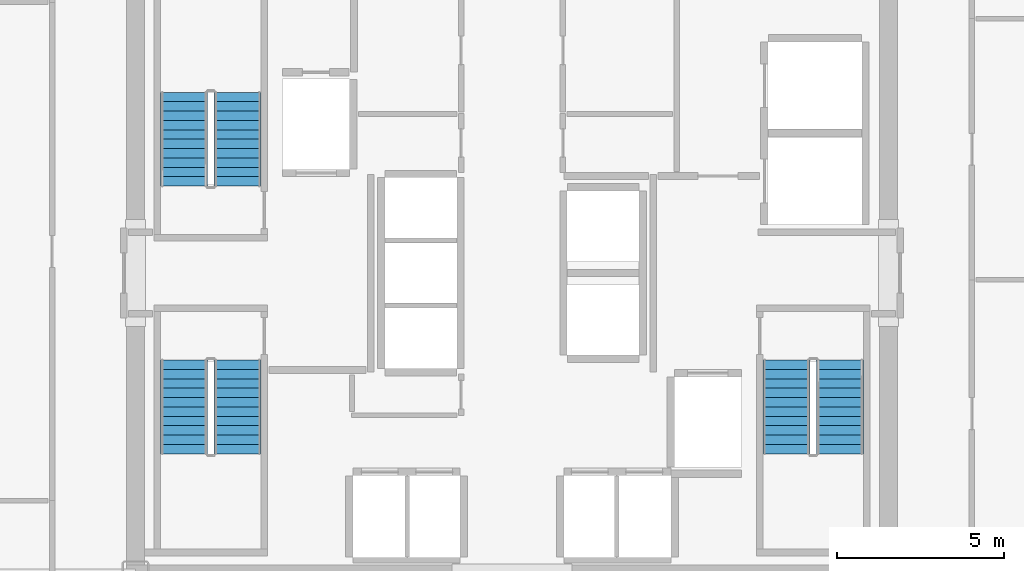
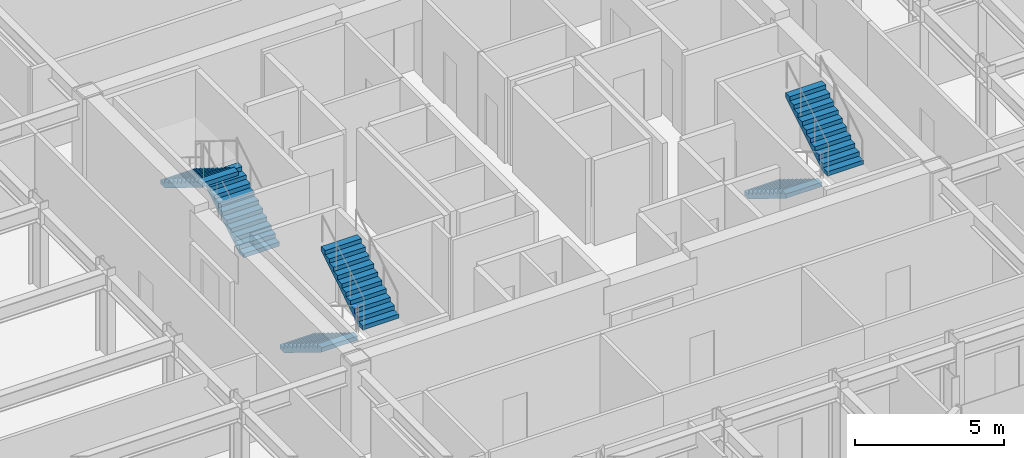
# One storey, part 22 of 23: 6 stair flights, 3 elements without a shape of their own.
"""IFC4 building model written with IfcOpenShell, lengths in metres."""

from ifc_helpers import new_model, si_unit, direction, frame, origin, place, context, subcontext, project, spatial, polyline, outline, extrude, source, transform, mapped, material, type_object, element, aggregate, save


model = new_model("IFC4")

# Units and contexts
model_context = context("Model", 3, precision=1e-05, world=origin(), true_north=direction((0.0, 1.0)))
body_context = subcontext(model_context, "Body", "Model", "MODEL_VIEW")
ifc_project = project(units=[si_unit("LENGTHUNIT", "METRE"), si_unit("AREAUNIT", "SQUARE_METRE"), si_unit("VOLUMEUNIT", "CUBIC_METRE"), si_unit("PLANEANGLEUNIT", "RADIAN"), si_unit("MASSUNIT", "GRAM", prefix="KILO")], contexts=[model_context])

# Site, building, storey
site_placement = place(None, origin())
site = spatial("IfcSite", under=ifc_project, at=site_placement, CompositionType="ELEMENT")
building_placement = place(site_placement, origin())
building = spatial("IfcBuilding", under=site, at=building_placement, Name="Nefas-Gora Pilgrimage Tower", CompositionType="ELEMENT")
storey_placement = place(building_placement, frame((0.0, 0.0, 198.199951171875)))
storey = spatial("IfcBuildingStorey", under=building, at=storey_placement, Name="L49", CompositionType="ELEMENT", Elevation=198.199951171875)

# Stair, stair flights
ifc_material = material(Name="Concrete C45/55", Category="concrete")
stair_type = type_object("IfcStairType", Name="STR-1400-R1727", PredefinedType="HALF_TURN_STAIR", material=ifc_material)
stair_1_placement = place(storey_placement, origin())
stair_1 = element("IfcStair", 1, at=stair_1_placement, inside=storey, type_object=stair_type, Name="L49 Pressurised Tower Exit Stair ST-01", PredefinedType="HALF_TURN_STAIR")
stair_flight_type = type_object("IfcStairFlightType", Name="STF-1400-R1727", PredefinedType="STRAIGHT", material=ifc_material)
shared_shape = source(origin(), body_context, "Body", "SweptSolid", [
    extrude(outline(polyline([(0.0, 0.0), (0.0, 0.172607421875), (0.280029296875, 0.172607421875), (0.280029296875, 0.345458984375), (0.56005859375, 0.345458984375), (0.56005859375, 0.51806640625), (0.840087890625, 0.51806640625), (0.840087890625, 0.69091796875), (1.1201171875, 0.69091796875), (1.1201171875, 0.863525390625), (1.39990234375, 0.863525390625), (1.39990234375, 1.036376953125), (1.679931640625, 1.036376953125), (1.679931640625, 1.208984375), (1.9599609375, 1.208984375), (1.9599609375, 1.3818359375), (2.239990234375, 1.3818359375), (2.239990234375, 1.554443359375), (2.52001953125, 1.554443359375), (2.52001953125, 1.727294921875), (2.800048828125, 1.727294921875), (2.800048828125, 1.89990234375), (2.800048828125, 1.551025390625), (0.285400390625, 0.0), (0.0, 0.0)])), frame((0.0, 0.699951171875, 0.0), z_axis=(0.0, -1.0, 0.0), x_axis=(1.0, 0.0, 0.0)), (0.0, 0.0, 1.0), 1.39990234375),
])
stair_flight_1_placement = place(storey_placement, frame((-8.199951171875, 2.60009765625, 0.0), z_axis=(0.0, 0.0, 1.0), x_axis=(0.0, 1.0, 0.0)))
stair_flight_1 = element("IfcStairFlight", 2, at=stair_flight_1_placement, type_object=stair_flight_type, Name="ST-01 flight 1", NumberOfRisers=11, NumberOfTreads=10, PredefinedType="STRAIGHT", RiserHeight=0.172727273, TreadLength=0.28, context=body_context, shape_type="MappedRepresentation", body=[
    mapped(shared_shape, transform((0.0, 0.0, 0.0), x_axis=(1.0, 0.0, 0.0), y_axis=(0.0, 1.0, 0.0), z_axis=(0.0, 0.0, 1.0), scale=1.0)),
])
stair_flight_2_placement = place(storey_placement, frame((-9.800048828125, 5.39990234375, 1.900146484375), z_axis=(0.0, 0.0, 1.0), x_axis=(0.0, -1.0, 0.0)))
stair_flight_2 = element("IfcStairFlight", 3, at=stair_flight_2_placement, type_object=stair_flight_type, Name="ST-01 flight 2", NumberOfRisers=11, NumberOfTreads=10, PredefinedType="STRAIGHT", RiserHeight=0.172727273, TreadLength=0.28, context=body_context, shape_type="MappedRepresentation", body=[
    mapped(shared_shape, transform((0.0, 0.0, 0.0), x_axis=(1.0, 0.0, 0.0), y_axis=(0.0, 1.0, 0.0), z_axis=(0.0, 0.0, 1.0), scale=1.0)),
])
aggregate(stair_1, [stair_flight_1, stair_flight_2])

stair_2_placement = place(storey_placement, origin())
stair_2 = element("IfcStair", 4, at=stair_2_placement, inside=storey, type_object=stair_type, Name="L49 Pressurised Tower Exit Stair ST-02", PredefinedType="HALF_TURN_STAIR")
stair_flight_3_placement = place(storey_placement, frame((8.199951171875, -2.60009765625, 0.0), z_axis=(0.0, 0.0, 1.0), x_axis=(0.0, -1.0, 0.0)))
stair_flight_3 = element("IfcStairFlight", 5, at=stair_flight_3_placement, type_object=stair_flight_type, Name="ST-02 flight 1", NumberOfRisers=11, NumberOfTreads=10, PredefinedType="STRAIGHT", RiserHeight=0.172727273, TreadLength=0.28, context=body_context, shape_type="MappedRepresentation", body=[
    mapped(shared_shape, transform((0.0, 0.0, 0.0), x_axis=(1.0, 0.0, 0.0), y_axis=(0.0, 1.0, 0.0), z_axis=(0.0, 0.0, 1.0), scale=1.0)),
])
stair_flight_4_placement = place(storey_placement, frame((9.800048828125, -5.39990234375, 1.900146484375), z_axis=(0.0, 0.0, 1.0), x_axis=(0.0, 1.0, 0.0)))
stair_flight_4 = element("IfcStairFlight", 6, at=stair_flight_4_placement, type_object=stair_flight_type, Name="ST-02 flight 2", NumberOfRisers=11, NumberOfTreads=10, PredefinedType="STRAIGHT", RiserHeight=0.172727273, TreadLength=0.28, context=body_context, shape_type="MappedRepresentation", body=[
    mapped(shared_shape, transform((0.0, 0.0, 0.0), x_axis=(1.0, 0.0, 0.0), y_axis=(0.0, 1.0, 0.0), z_axis=(0.0, 0.0, 1.0), scale=1.0)),
])
aggregate(stair_2, [stair_flight_3, stair_flight_4])

stair_3_placement = place(storey_placement, origin())
stair_3 = element("IfcStair", 7, at=stair_3_placement, inside=storey, type_object=stair_type, Name="L49 Pressurised Tower Exit Stair ST-03", PredefinedType="HALF_TURN_STAIR")
stair_flight_5_placement = place(storey_placement, frame((-9.800048828125, -2.60009765625, 0.0), z_axis=(0.0, 0.0, 1.0), x_axis=(0.0, -1.0, 0.0)))
stair_flight_5 = element("IfcStairFlight", 8, at=stair_flight_5_placement, type_object=stair_flight_type, Name="ST-03 flight 1", NumberOfRisers=11, NumberOfTreads=10, PredefinedType="STRAIGHT", RiserHeight=0.172727273, TreadLength=0.28, context=body_context, shape_type="MappedRepresentation", body=[
    mapped(shared_shape, transform((0.0, 0.0, 0.0), x_axis=(1.0, 0.0, 0.0), y_axis=(0.0, 1.0, 0.0), z_axis=(0.0, 0.0, 1.0), scale=1.0)),
])
stair_flight_6_placement = place(storey_placement, frame((-8.199951171875, -5.39990234375, 1.900146484375), z_axis=(0.0, 0.0, 1.0), x_axis=(0.0, 1.0, 0.0)))
stair_flight_6 = element("IfcStairFlight", 9, at=stair_flight_6_placement, type_object=stair_flight_type, Name="ST-03 flight 2", NumberOfRisers=11, NumberOfTreads=10, PredefinedType="STRAIGHT", RiserHeight=0.172727273, TreadLength=0.28, context=body_context, shape_type="MappedRepresentation", body=[
    mapped(shared_shape, transform((0.0, 0.0, 0.0), x_axis=(1.0, 0.0, 0.0), y_axis=(0.0, 1.0, 0.0), z_axis=(0.0, 0.0, 1.0), scale=1.0)),
])
aggregate(stair_3, [stair_flight_5, stair_flight_6])

save(model, "model.ifc")
